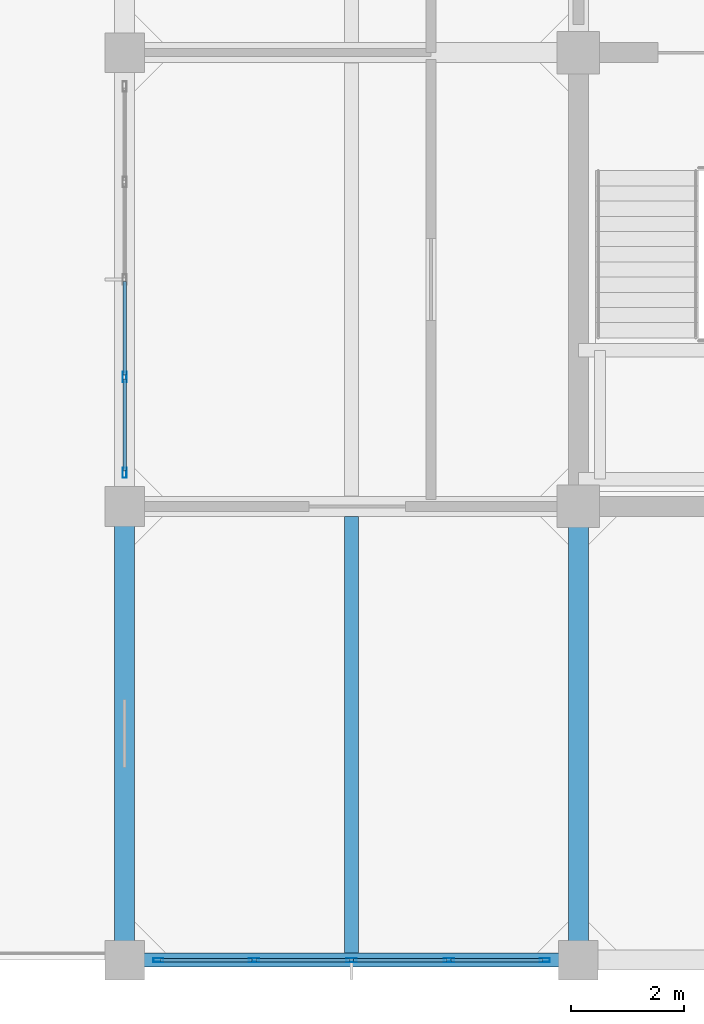
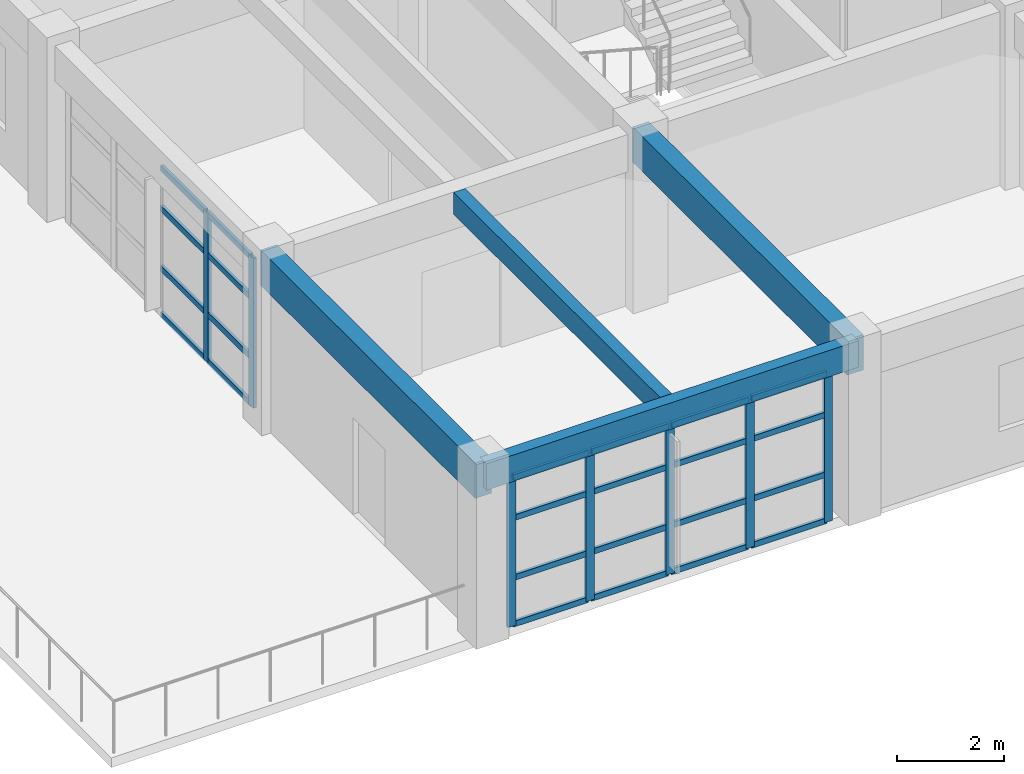
# One storey, part 2 of 25: 31 members, 4 beams, 2 elements without a shape of their own.
"""IFC4 building model written with IfcOpenShell, lengths in metres."""

from ifc_helpers import new_model, si_unit, direction, frame, origin, origin_2d, place, context, subcontext, project, spatial, rectangle, hollow_rectangle, extrude, material, layer, layer_set, material_profile, profile_set, type_object, element, aggregate, save


model = new_model("IFC4")

# Units and contexts
model_context = context("Model", 3, precision=1e-05, world=origin(), true_north=direction((0.0, 1.0)))
body_context = subcontext(model_context, "Body", "Model", "MODEL_VIEW")
ifc_project = project(units=[si_unit("LENGTHUNIT", "METRE"), si_unit("AREAUNIT", "SQUARE_METRE"), si_unit("VOLUMEUNIT", "CUBIC_METRE"), si_unit("PLANEANGLEUNIT", "RADIAN"), si_unit("MASSUNIT", "GRAM", prefix="KILO")], contexts=[model_context])

# Site, building, storey
site_placement = place(None, origin())
site = spatial("IfcSite", under=ifc_project, at=site_placement, CompositionType="ELEMENT")
building_placement = place(site_placement, origin())
building = spatial("IfcBuilding", under=site, at=building_placement, Name="Canggui Botanical Conservatory", CompositionType="ELEMENT")
storey_placement = place(building_placement, frame((0.0, 0.0, 40.199951171875)))
storey = spatial("IfcBuildingStorey", under=building, at=storey_placement, Name="L10", CompositionType="ELEMENT", Elevation=40.199951171875)

# Beams
ifc_material_1 = material(Name="Concrete C35", Category="concrete")
ifc_material_profile_1 = material_profile(ifc_material_1, rectangle(XDim=0.25, YDim=0.5, at=origin_2d()), Name="RB 250x500")
ifc_profile_set_1 = profile_set([ifc_material_profile_1], Name="Concrete C35")
beam_type_1 = type_object("IfcBeamType", Name="BM-JST04", PredefinedType="JOIST", material=ifc_profile_set_1)
beam_1_placement = place(storey_placement, frame((150.0, 34.1298828125, 3.7099609375), z_axis=(0.0, 1.0, 0.0), x_axis=(-1.0, 0.0, 0.0)))
element("IfcBeam", 1, at=beam_1_placement, inside=storey, type_object=beam_type_1, Name="Secondary Floor Joist L10-1-1", PredefinedType="JOIST", context=body_context, shape_type="SweptSolid", body=[
    extrude(rectangle(XDim=0.25, YDim=0.5, at=origin_2d()), origin(), (0.0, 0.0, 1.0), 7.690185546875),
])
ifc_material_profile_2 = material_profile(ifc_material_1, rectangle(XDim=0.35009765625, YDim=0.800048828125, at=origin_2d()), Name="RB 350x800")
ifc_profile_set_2 = profile_set([ifc_material_profile_2], Name="Concrete C35")
beam_type_2 = type_object("IfcBeamType", Name="BM-KL15", PredefinedType="BEAM", material=ifc_profile_set_2)
for number, where, z_axis, x_axis, name in (
    (2, (146.0, 34.0, 3.56005859375), (0.0, 1.0, 0.0), (-1.0, 0.0, 0.0), "Frame Girder L10 X146-1"),
    (3, (154.0, 34.0, 3.56005859375), (0.0, 1.0, 0.0), (-1.0, 0.0, 0.0), "Frame Girder L10 X154-1"),
):
    element("IfcBeam", number, at=place(storey_placement, frame(where, z_axis=z_axis, x_axis=x_axis)), inside=storey, type_object=beam_type_2, Name=name, PredefinedType="BEAM", context=body_context, shape_type="SweptSolid", body=[
        extrude(rectangle(XDim=0.35009765625, YDim=0.800048828125, at=origin_2d()), origin(), (0.0, 0.0, 1.0), 8.0),
    ])
ifc_material_profile_3 = material_profile(ifc_material_1, rectangle(XDim=0.25, YDim=0.60009765625, at=origin_2d()), Name="RB 250x600")
ifc_profile_set_3 = profile_set([ifc_material_profile_3], Name="Concrete C35")
beam_type_3 = type_object("IfcBeamType", Name="BM-SPD02", PredefinedType="SPANDREL", material=ifc_profile_set_3)
beam_2_placement = place(storey_placement, frame((146.0, 34.0, 3.66015625), z_axis=(1.0, 0.0, 0.0), x_axis=(0.0, 1.0, 0.0)))
element("IfcBeam", 4, at=beam_2_placement, inside=storey, type_object=beam_type_3, Name="Frame Girder L10 Y34-1", PredefinedType="SPANDREL", context=body_context, shape_type="SweptSolid", body=[
    extrude(rectangle(XDim=0.25, YDim=0.60009765625, at=origin_2d()), origin(), (0.0, 0.0, 1.0), 8.0),
])

# Curtain wall, members
ifc_material_2 = material(Name="Thermally Broken Aluminium", Category="aluminium")
ifc_layer = layer(ifc_material_2, 0.179931640625, Name="Thermally Broken Aluminium", Category="aluminium")
ifc_layer_set = layer_set([ifc_layer], Name="Thermally Broken Aluminium")
curtain_wall_type = type_object("IfcCurtainWallType", Name="CW-UNIT-A", PredefinedType="USERDEFINED", material=ifc_layer_set)
curtain_wall_1_placement = place(storey_placement, origin())
curtain_wall_1 = element("IfcCurtainWall", 5, at=curtain_wall_1_placement, inside=storey, type_object=curtain_wall_type, Name="Facade Curtain Wall CW-TWR-L10-04", ObjectType="UNITISED CURTAIN WALL", PredefinedType="USERDEFINED")
ifc_material_profile_4 = material_profile(ifc_material_2, hollow_rectangle(XDim=0.070068359375, YDim=0.179931640625, WallThickness=0.00390625, at=origin_2d()), Name="CWM 70x180x4")
ifc_profile_set_4 = profile_set([ifc_material_profile_4], Name="Thermally Broken Aluminium")
member_type_1 = type_object("IfcMemberType", Name="CWM-01", PredefinedType="MULLION", material=ifc_profile_set_4)
member_1_placement = place(storey_placement, frame((153.405029296875, 34.0, 0.0), z_axis=(0.0, 0.0, 1.0), x_axis=(0.0, -1.0, 0.0)))
member_1 = element("IfcMember", 6, at=member_1_placement, type_object=member_type_1, Name="CW-01 mullion 1", PredefinedType="MULLION", context=body_context, shape_type="SweptSolid", body=[
    extrude(hollow_rectangle(XDim=0.070068359375, YDim=0.179931640625, WallThickness=0.00390625, at=origin_2d()), origin(), (0.0, 0.0, 1.0), 3.400146484375),
])
member_2_placement = place(storey_placement, frame((151.719970703125, 34.0, 0.0), z_axis=(0.0, 0.0, 1.0), x_axis=(0.0, -1.0, 0.0)))
member_2 = element("IfcMember", 7, at=member_2_placement, type_object=member_type_1, Name="CW-01 mullion 2", PredefinedType="MULLION", context=body_context, shape_type="SweptSolid", body=[
    extrude(hollow_rectangle(XDim=0.070068359375, YDim=0.179931640625, WallThickness=0.00390625, at=origin_2d()), origin(), (0.0, 0.0, 1.0), 3.400146484375),
])
member_3_placement = place(storey_placement, frame((150.0, 34.0, 0.0), z_axis=(0.0, 0.0, 1.0), x_axis=(0.0, -1.0, 0.0)))
member_3 = element("IfcMember", 8, at=member_3_placement, type_object=member_type_1, Name="CW-01 mullion 3", PredefinedType="MULLION", context=body_context, shape_type="SweptSolid", body=[
    extrude(hollow_rectangle(XDim=0.070068359375, YDim=0.179931640625, WallThickness=0.00390625, at=origin_2d()), origin(), (0.0, 0.0, 1.0), 3.400146484375),
])
member_4_placement = place(storey_placement, frame((148.280029296875, 34.0, 0.0), z_axis=(0.0, 0.0, 1.0), x_axis=(0.0, -1.0, 0.0)))
member_4 = element("IfcMember", 9, at=member_4_placement, type_object=member_type_1, Name="CW-01 mullion 4", PredefinedType="MULLION", context=body_context, shape_type="SweptSolid", body=[
    extrude(hollow_rectangle(XDim=0.070068359375, YDim=0.179931640625, WallThickness=0.00390625, at=origin_2d()), origin(), (0.0, 0.0, 1.0), 3.400146484375),
])
member_5_placement = place(storey_placement, frame((146.594970703125, 34.0, 0.0), z_axis=(0.0, 0.0, 1.0), x_axis=(0.0, -1.0, 0.0)))
member_5 = element("IfcMember", 10, at=member_5_placement, type_object=member_type_1, Name="CW-01 mullion 5", PredefinedType="MULLION", context=body_context, shape_type="SweptSolid", body=[
    extrude(hollow_rectangle(XDim=0.070068359375, YDim=0.179931640625, WallThickness=0.00390625, at=origin_2d()), origin(), (0.0, 0.0, 1.0), 3.400146484375),
])

curtain_wall_2_placement = place(storey_placement, origin())
curtain_wall_2 = element("IfcCurtainWall", 11, at=curtain_wall_2_placement, inside=storey, type_object=curtain_wall_type, Name="Facade Curtain Wall CW-TWR-L10-06", ObjectType="UNITISED CURTAIN WALL", PredefinedType="USERDEFINED")
member_6_placement = place(storey_placement, frame((146.0, 42.594970703125, 0.0), z_axis=(0.0, 0.0, 1.0), x_axis=(-1.0, 0.0, 0.0)))
member_6 = element("IfcMember", 12, at=member_6_placement, type_object=member_type_1, Name="CW-01 mullion 1", PredefinedType="MULLION", context=body_context, shape_type="SweptSolid", body=[
    extrude(hollow_rectangle(XDim=0.070068359375, YDim=0.179931640625, WallThickness=0.00390625, at=origin_2d()), origin(), (0.0, 0.0, 1.0), 3.400146484375),
])
member_7_placement = place(storey_placement, frame((146.0, 44.280029296875, 0.0), z_axis=(0.0, 0.0, 1.0), x_axis=(-1.0, 0.0, 0.0)))
member_7 = element("IfcMember", 13, at=member_7_placement, type_object=member_type_1, Name="CW-01 mullion 2", PredefinedType="MULLION", context=body_context, shape_type="SweptSolid", body=[
    extrude(hollow_rectangle(XDim=0.070068359375, YDim=0.179931640625, WallThickness=0.00390625, at=origin_2d()), origin(), (0.0, 0.0, 1.0), 3.400146484375),
])

# Member
ifc_material_profile_5 = material_profile(ifc_material_2, hollow_rectangle(XDim=0.06494140625, YDim=0.1298828125, WallThickness=0.00341796875, at=origin_2d()), Name="CWT 65x130x3.5")
ifc_profile_set_5 = profile_set([ifc_material_profile_5], Name="Thermally Broken Aluminium")
member_type_2 = type_object("IfcMemberType", Name="CWT-01", PredefinedType="USERDEFINED", material=ifc_profile_set_5)
member_8_placement = place(storey_placement, frame((153.3701171875, 34.0, 0.032470703125), z_axis=(-1.0, 0.0, 0.0), x_axis=(0.0, -1.0, 0.0)))
member_8 = element("IfcMember", 14, at=member_8_placement, type_object=member_type_2, Name="CW-01 transom 1.1", ObjectType="TRANSOM", PredefinedType="USERDEFINED", context=body_context, shape_type="SweptSolid", body=[
    extrude(hollow_rectangle(XDim=0.06494140625, YDim=0.1298828125, WallThickness=0.00341796875, at=origin_2d()), origin(), (0.0, 0.0, 1.0), 1.615234375),
])

member_9_placement = place(storey_placement, frame((153.3701171875, 34.0, 1.088134765625), z_axis=(-1.0, 0.0, 0.0), x_axis=(0.0, -1.0, 0.0)))
member_9 = element("IfcMember", 15, at=member_9_placement, type_object=member_type_2, Name="CW-01 transom 1.2", ObjectType="TRANSOM", PredefinedType="USERDEFINED", context=body_context, shape_type="SweptSolid", body=[
    extrude(hollow_rectangle(XDim=0.06494140625, YDim=0.1298828125, WallThickness=0.00341796875, at=origin_2d()), origin(), (0.0, 0.0, 1.0), 1.615234375),
])

member_10_placement = place(storey_placement, frame((153.3701171875, 34.0, 2.447998046875), z_axis=(-1.0, 0.0, 0.0), x_axis=(0.0, -1.0, 0.0)))
member_10 = element("IfcMember", 16, at=member_10_placement, type_object=member_type_2, Name="CW-01 transom 1.3", ObjectType="TRANSOM", PredefinedType="USERDEFINED", context=body_context, shape_type="SweptSolid", body=[
    extrude(hollow_rectangle(XDim=0.06494140625, YDim=0.1298828125, WallThickness=0.00341796875, at=origin_2d()), origin(), (0.0, 0.0, 1.0), 1.615234375),
])

member_11_placement = place(storey_placement, frame((153.3701171875, 34.0, 3.367431640625), z_axis=(-1.0, 0.0, 0.0), x_axis=(0.0, -1.0, 0.0)))
member_11 = element("IfcMember", 17, at=member_11_placement, type_object=member_type_2, Name="CW-01 transom 1.4", ObjectType="TRANSOM", PredefinedType="USERDEFINED", context=body_context, shape_type="SweptSolid", body=[
    extrude(hollow_rectangle(XDim=0.06494140625, YDim=0.1298828125, WallThickness=0.00341796875, at=origin_2d()), origin(), (0.0, 0.0, 1.0), 1.615234375),
])

member_12_placement = place(storey_placement, frame((151.68505859375, 34.0, 0.032470703125), z_axis=(-1.0, 0.0, 0.0), x_axis=(0.0, -1.0, 0.0)))
member_12 = element("IfcMember", 18, at=member_12_placement, type_object=member_type_2, Name="CW-01 transom 2.1", ObjectType="TRANSOM", PredefinedType="USERDEFINED", context=body_context, shape_type="SweptSolid", body=[
    extrude(hollow_rectangle(XDim=0.06494140625, YDim=0.1298828125, WallThickness=0.00341796875, at=origin_2d()), origin(), (0.0, 0.0, 1.0), 1.650146484375),
])

member_13_placement = place(storey_placement, frame((151.68505859375, 34.0, 1.088134765625), z_axis=(-1.0, 0.0, 0.0), x_axis=(0.0, -1.0, 0.0)))
member_13 = element("IfcMember", 19, at=member_13_placement, type_object=member_type_2, Name="CW-01 transom 2.2", ObjectType="TRANSOM", PredefinedType="USERDEFINED", context=body_context, shape_type="SweptSolid", body=[
    extrude(hollow_rectangle(XDim=0.06494140625, YDim=0.1298828125, WallThickness=0.00341796875, at=origin_2d()), origin(), (0.0, 0.0, 1.0), 1.650146484375),
])

member_14_placement = place(storey_placement, frame((151.68505859375, 34.0, 2.447998046875), z_axis=(-1.0, 0.0, 0.0), x_axis=(0.0, -1.0, 0.0)))
member_14 = element("IfcMember", 20, at=member_14_placement, type_object=member_type_2, Name="CW-01 transom 2.3", ObjectType="TRANSOM", PredefinedType="USERDEFINED", context=body_context, shape_type="SweptSolid", body=[
    extrude(hollow_rectangle(XDim=0.06494140625, YDim=0.1298828125, WallThickness=0.00341796875, at=origin_2d()), origin(), (0.0, 0.0, 1.0), 1.650146484375),
])

member_15_placement = place(storey_placement, frame((151.68505859375, 34.0, 3.367431640625), z_axis=(-1.0, 0.0, 0.0), x_axis=(0.0, -1.0, 0.0)))
member_15 = element("IfcMember", 21, at=member_15_placement, type_object=member_type_2, Name="CW-01 transom 2.4", ObjectType="TRANSOM", PredefinedType="USERDEFINED", context=body_context, shape_type="SweptSolid", body=[
    extrude(hollow_rectangle(XDim=0.06494140625, YDim=0.1298828125, WallThickness=0.00341796875, at=origin_2d()), origin(), (0.0, 0.0, 1.0), 1.650146484375),
])

member_16_placement = place(storey_placement, frame((149.965087890625, 34.0, 0.032470703125), z_axis=(-1.0, 0.0, 0.0), x_axis=(0.0, -1.0, 0.0)))
member_16 = element("IfcMember", 22, at=member_16_placement, type_object=member_type_2, Name="CW-01 transom 3.1", ObjectType="TRANSOM", PredefinedType="USERDEFINED", context=body_context, shape_type="SweptSolid", body=[
    extrude(hollow_rectangle(XDim=0.06494140625, YDim=0.1298828125, WallThickness=0.00341796875, at=origin_2d()), origin(), (0.0, 0.0, 1.0), 1.650146484375),
])

member_17_placement = place(storey_placement, frame((149.965087890625, 34.0, 1.088134765625), z_axis=(-1.0, 0.0, 0.0), x_axis=(0.0, -1.0, 0.0)))
member_17 = element("IfcMember", 23, at=member_17_placement, type_object=member_type_2, Name="CW-01 transom 3.2", ObjectType="TRANSOM", PredefinedType="USERDEFINED", context=body_context, shape_type="SweptSolid", body=[
    extrude(hollow_rectangle(XDim=0.06494140625, YDim=0.1298828125, WallThickness=0.00341796875, at=origin_2d()), origin(), (0.0, 0.0, 1.0), 1.650146484375),
])

member_18_placement = place(storey_placement, frame((149.965087890625, 34.0, 2.447998046875), z_axis=(-1.0, 0.0, 0.0), x_axis=(0.0, -1.0, 0.0)))
member_18 = element("IfcMember", 24, at=member_18_placement, type_object=member_type_2, Name="CW-01 transom 3.3", ObjectType="TRANSOM", PredefinedType="USERDEFINED", context=body_context, shape_type="SweptSolid", body=[
    extrude(hollow_rectangle(XDim=0.06494140625, YDim=0.1298828125, WallThickness=0.00341796875, at=origin_2d()), origin(), (0.0, 0.0, 1.0), 1.650146484375),
])

member_19_placement = place(storey_placement, frame((149.965087890625, 34.0, 3.367431640625), z_axis=(-1.0, 0.0, 0.0), x_axis=(0.0, -1.0, 0.0)))
member_19 = element("IfcMember", 25, at=member_19_placement, type_object=member_type_2, Name="CW-01 transom 3.4", ObjectType="TRANSOM", PredefinedType="USERDEFINED", context=body_context, shape_type="SweptSolid", body=[
    extrude(hollow_rectangle(XDim=0.06494140625, YDim=0.1298828125, WallThickness=0.00341796875, at=origin_2d()), origin(), (0.0, 0.0, 1.0), 1.650146484375),
])

member_20_placement = place(storey_placement, frame((148.2451171875, 34.0, 0.032470703125), z_axis=(-1.0, 0.0, 0.0), x_axis=(0.0, -1.0, 0.0)))
member_20 = element("IfcMember", 26, at=member_20_placement, type_object=member_type_2, Name="CW-01 transom 4.1", ObjectType="TRANSOM", PredefinedType="USERDEFINED", context=body_context, shape_type="SweptSolid", body=[
    extrude(hollow_rectangle(XDim=0.06494140625, YDim=0.1298828125, WallThickness=0.00341796875, at=origin_2d()), origin(), (0.0, 0.0, 1.0), 1.615234375),
])

member_21_placement = place(storey_placement, frame((148.2451171875, 34.0, 1.088134765625), z_axis=(-1.0, 0.0, 0.0), x_axis=(0.0, -1.0, 0.0)))
member_21 = element("IfcMember", 27, at=member_21_placement, type_object=member_type_2, Name="CW-01 transom 4.2", ObjectType="TRANSOM", PredefinedType="USERDEFINED", context=body_context, shape_type="SweptSolid", body=[
    extrude(hollow_rectangle(XDim=0.06494140625, YDim=0.1298828125, WallThickness=0.00341796875, at=origin_2d()), origin(), (0.0, 0.0, 1.0), 1.615234375),
])

member_22_placement = place(storey_placement, frame((148.2451171875, 34.0, 2.447998046875), z_axis=(-1.0, 0.0, 0.0), x_axis=(0.0, -1.0, 0.0)))
member_22 = element("IfcMember", 28, at=member_22_placement, type_object=member_type_2, Name="CW-01 transom 4.3", ObjectType="TRANSOM", PredefinedType="USERDEFINED", context=body_context, shape_type="SweptSolid", body=[
    extrude(hollow_rectangle(XDim=0.06494140625, YDim=0.1298828125, WallThickness=0.00341796875, at=origin_2d()), origin(), (0.0, 0.0, 1.0), 1.615234375),
])

member_23_placement = place(storey_placement, frame((148.2451171875, 34.0, 3.367431640625), z_axis=(-1.0, 0.0, 0.0), x_axis=(0.0, -1.0, 0.0)))
member_23 = element("IfcMember", 29, at=member_23_placement, type_object=member_type_2, Name="CW-01 transom 4.4", ObjectType="TRANSOM", PredefinedType="USERDEFINED", context=body_context, shape_type="SweptSolid", body=[
    extrude(hollow_rectangle(XDim=0.06494140625, YDim=0.1298828125, WallThickness=0.00341796875, at=origin_2d()), origin(), (0.0, 0.0, 1.0), 1.615234375),
])

aggregate(curtain_wall_1, [member_1, member_2, member_3, member_4, member_5, member_8, member_9, member_10, member_11, member_12, member_13, member_14, member_15, member_16, member_17, member_18, member_19, member_20, member_21, member_22, member_23])

member_24_placement = place(storey_placement, frame((146.0, 42.6298828125, 0.032470703125), z_axis=(0.0, 1.0, 0.0), x_axis=(-1.0, 0.0, 0.0)))
member_24 = element("IfcMember", 30, at=member_24_placement, type_object=member_type_2, Name="CW-01 transom 1.1", ObjectType="TRANSOM", PredefinedType="USERDEFINED", context=body_context, shape_type="SweptSolid", body=[
    extrude(hollow_rectangle(XDim=0.06494140625, YDim=0.1298828125, WallThickness=0.00341796875, at=origin_2d()), origin(), (0.0, 0.0, 1.0), 1.615234375),
])

member_25_placement = place(storey_placement, frame((146.0, 42.6298828125, 1.088134765625), z_axis=(0.0, 1.0, 0.0), x_axis=(-1.0, 0.0, 0.0)))
member_25 = element("IfcMember", 31, at=member_25_placement, type_object=member_type_2, Name="CW-01 transom 1.2", ObjectType="TRANSOM", PredefinedType="USERDEFINED", context=body_context, shape_type="SweptSolid", body=[
    extrude(hollow_rectangle(XDim=0.06494140625, YDim=0.1298828125, WallThickness=0.00341796875, at=origin_2d()), origin(), (0.0, 0.0, 1.0), 1.615234375),
])

member_26_placement = place(storey_placement, frame((146.0, 42.6298828125, 2.447998046875), z_axis=(0.0, 1.0, 0.0), x_axis=(-1.0, 0.0, 0.0)))
member_26 = element("IfcMember", 32, at=member_26_placement, type_object=member_type_2, Name="CW-01 transom 1.3", ObjectType="TRANSOM", PredefinedType="USERDEFINED", context=body_context, shape_type="SweptSolid", body=[
    extrude(hollow_rectangle(XDim=0.06494140625, YDim=0.1298828125, WallThickness=0.00341796875, at=origin_2d()), origin(), (0.0, 0.0, 1.0), 1.615234375),
])

member_27_placement = place(storey_placement, frame((146.0, 42.6298828125, 3.367431640625), z_axis=(0.0, 1.0, 0.0), x_axis=(-1.0, 0.0, 0.0)))
member_27 = element("IfcMember", 33, at=member_27_placement, type_object=member_type_2, Name="CW-01 transom 1.4", ObjectType="TRANSOM", PredefinedType="USERDEFINED", context=body_context, shape_type="SweptSolid", body=[
    extrude(hollow_rectangle(XDim=0.06494140625, YDim=0.1298828125, WallThickness=0.00341796875, at=origin_2d()), origin(), (0.0, 0.0, 1.0), 1.615234375),
])

member_28_placement = place(storey_placement, frame((146.0, 44.31494140625, 0.032470703125), z_axis=(0.0, 1.0, 0.0), x_axis=(-1.0, 0.0, 0.0)))
member_28 = element("IfcMember", 34, at=member_28_placement, type_object=member_type_2, Name="CW-01 transom 2.1", ObjectType="TRANSOM", PredefinedType="USERDEFINED", context=body_context, shape_type="SweptSolid", body=[
    extrude(hollow_rectangle(XDim=0.06494140625, YDim=0.1298828125, WallThickness=0.00341796875, at=origin_2d()), origin(), (0.0, 0.0, 1.0), 1.650146484375),
])

member_29_placement = place(storey_placement, frame((146.0, 44.31494140625, 1.088134765625), z_axis=(0.0, 1.0, 0.0), x_axis=(-1.0, 0.0, 0.0)))
member_29 = element("IfcMember", 35, at=member_29_placement, type_object=member_type_2, Name="CW-01 transom 2.2", ObjectType="TRANSOM", PredefinedType="USERDEFINED", context=body_context, shape_type="SweptSolid", body=[
    extrude(hollow_rectangle(XDim=0.06494140625, YDim=0.1298828125, WallThickness=0.00341796875, at=origin_2d()), origin(), (0.0, 0.0, 1.0), 1.650146484375),
])

member_30_placement = place(storey_placement, frame((146.0, 44.31494140625, 2.447998046875), z_axis=(0.0, 1.0, 0.0), x_axis=(-1.0, 0.0, 0.0)))
member_30 = element("IfcMember", 36, at=member_30_placement, type_object=member_type_2, Name="CW-01 transom 2.3", ObjectType="TRANSOM", PredefinedType="USERDEFINED", context=body_context, shape_type="SweptSolid", body=[
    extrude(hollow_rectangle(XDim=0.06494140625, YDim=0.1298828125, WallThickness=0.00341796875, at=origin_2d()), origin(), (0.0, 0.0, 1.0), 1.650146484375),
])

member_31_placement = place(storey_placement, frame((146.0, 44.31494140625, 3.367431640625), z_axis=(0.0, 1.0, 0.0), x_axis=(-1.0, 0.0, 0.0)))
member_31 = element("IfcMember", 37, at=member_31_placement, type_object=member_type_2, Name="CW-01 transom 2.4", ObjectType="TRANSOM", PredefinedType="USERDEFINED", context=body_context, shape_type="SweptSolid", body=[
    extrude(hollow_rectangle(XDim=0.06494140625, YDim=0.1298828125, WallThickness=0.00341796875, at=origin_2d()), origin(), (0.0, 0.0, 1.0), 1.650146484375),
])

aggregate(curtain_wall_2, [member_6, member_7, member_24, member_25, member_26, member_27, member_28, member_29, member_30, member_31])

save(model, "model.ifc")
